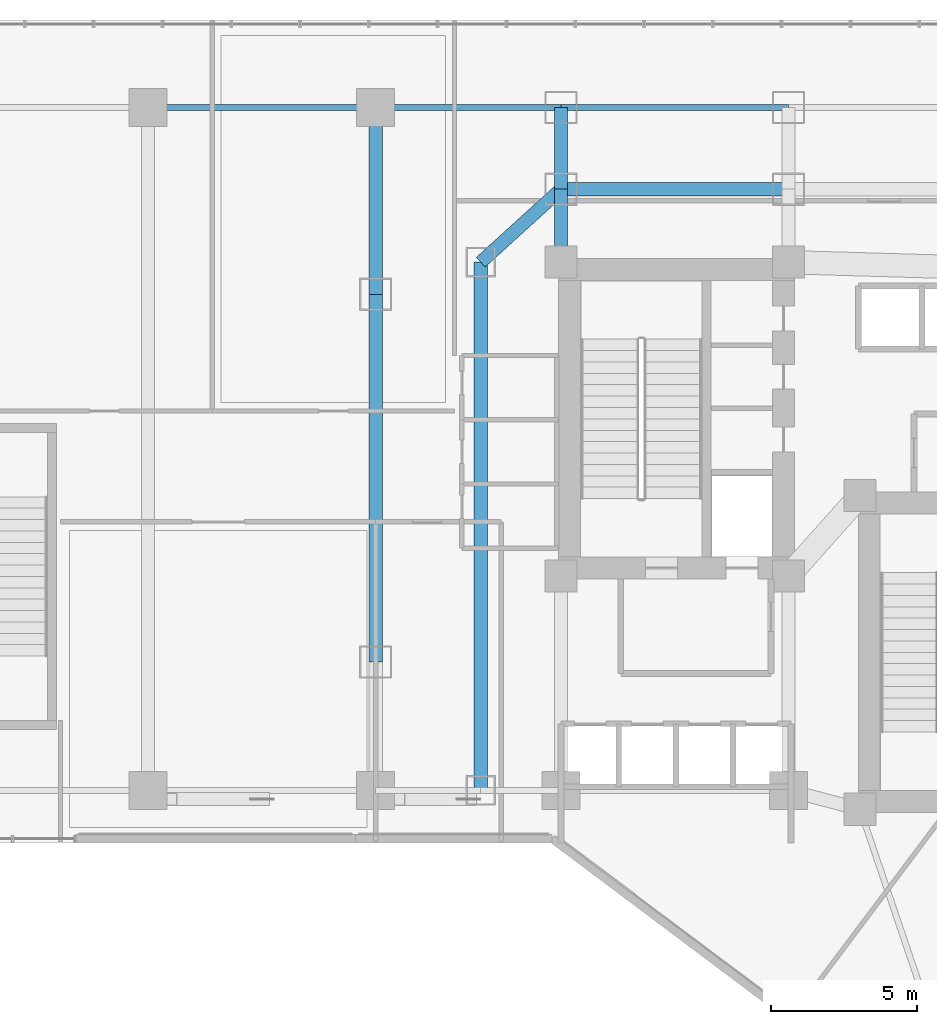
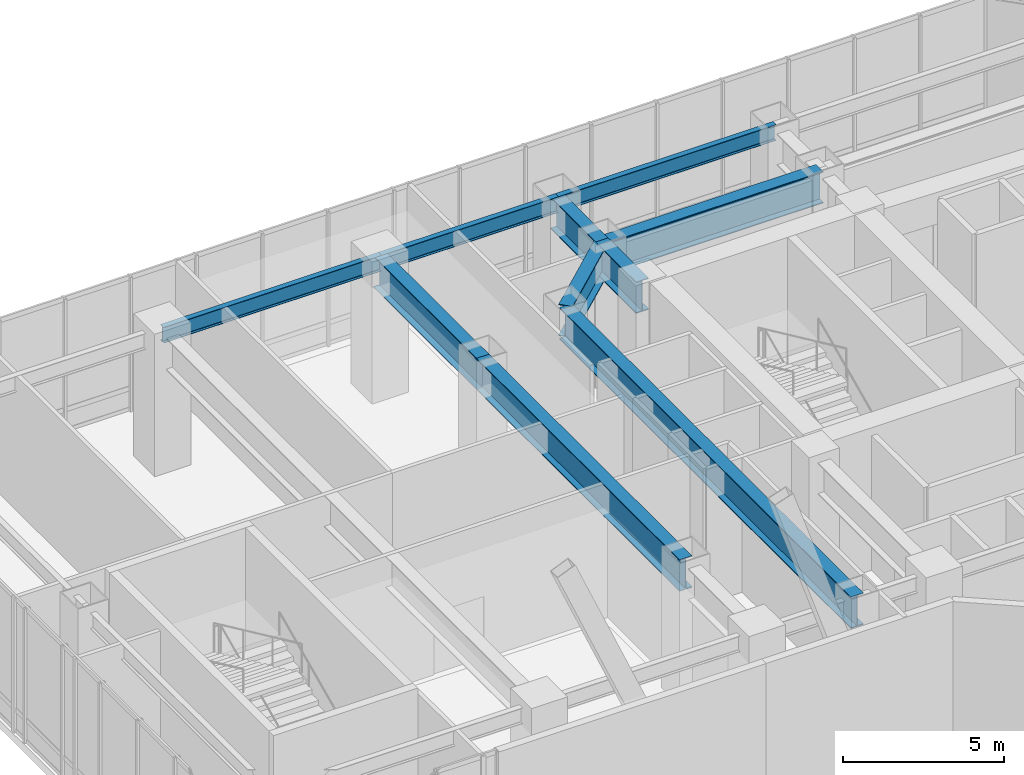
# One storey, part 15 of 35: 10 beams.
"""IFC4 building model written with IfcOpenShell, lengths in metres."""

from ifc_helpers import new_model, si_unit, direction, frame, origin, origin_2d, place, context, subcontext, project, spatial, i_section, extrude, material, material_profile, profile_set, type_object, element, save


model = new_model("IFC4")

# Units and contexts
model_context = context("Model", 3, precision=1e-05, world=origin(), true_north=direction((0.0, 1.0)))
body_context = subcontext(model_context, "Body", "Model", "MODEL_VIEW")
ifc_project = project(units=[si_unit("LENGTHUNIT", "METRE"), si_unit("AREAUNIT", "SQUARE_METRE"), si_unit("VOLUMEUNIT", "CUBIC_METRE"), si_unit("PLANEANGLEUNIT", "RADIAN"), si_unit("MASSUNIT", "GRAM", prefix="KILO")], contexts=[model_context])

# Site, building, storey
site_placement = place(None, origin())
site = spatial("IfcSite", under=ifc_project, at=site_placement, CompositionType="ELEMENT")
building_placement = place(site_placement, origin())
building = spatial("IfcBuilding", under=site, at=building_placement, Name="Hatsunagi Terrace Concourse", CompositionType="ELEMENT")
storey_placement = place(building_placement, frame((0.0, 0.0, 10.800048828125)))
storey = spatial("IfcBuildingStorey", under=building, at=storey_placement, Name="L03", CompositionType="ELEMENT", Elevation=10.800048828125)

# Beams
ifc_material_1 = material(Name="Steel SN490B", Category="steel")
ifc_material_profile_1 = material_profile(ifc_material_1, i_section(OverallWidth=0.199951171875, OverallDepth=0.60009765625, WebThickness=0.010986328125, FlangeThickness=0.01708984375, FilletRadius=0.01806640625, at=origin_2d()), Name="H-600x200x11x17")
ifc_profile_set_1 = profile_set([ifc_material_profile_1], Name="Steel SN490B")
beam_type_1 = type_object("IfcBeamType", Name="PerimeterSpandrel_H_600x200", PredefinedType="SPANDREL", material=ifc_profile_set_1)
beam_1_placement = place(storey_placement, frame((11.39990234375, 48.60009765625, 4.800048828125), z_axis=(1.0, 0.0, 0.0), x_axis=(0.0, 1.0, 0.0)))
element("IfcBeam", 1, at=beam_1_placement, inside=storey, type_object=beam_type_1, Name="Beam SP-01 BM-L03-WN-11", PredefinedType="SPANDREL", context=body_context, shape_type="SweptSolid", body=[
    extrude(i_section(OverallWidth=0.199951171875, OverallDepth=0.60009765625, WebThickness=0.010986328125, FlangeThickness=0.01708984375, FilletRadius=0.01806640625, at=origin_2d()), origin(), (0.0, 0.0, 1.0), 7.800048828125),
])
beam_2_placement = place(storey_placement, frame((19.199951171875, 48.60009765625, 4.800048828125), z_axis=(1.0, 0.0, 0.0), x_axis=(0.0, 1.0, 0.0)))
element("IfcBeam", 2, at=beam_2_placement, inside=storey, type_object=beam_type_1, Name="Beam SP-01 BM-L03-WN-19", PredefinedType="SPANDREL", context=body_context, shape_type="SweptSolid", body=[
    extrude(i_section(OverallWidth=0.199951171875, OverallDepth=0.60009765625, WebThickness=0.010986328125, FlangeThickness=0.01708984375, FilletRadius=0.01806640625, at=origin_2d()), origin(), (0.0, 0.0, 1.0), 6.35009765625),
])
beam_3_placement = place(storey_placement, frame((25.550048828125, 48.60009765625, 4.800048828125), z_axis=(1.0, 0.0, 0.0), x_axis=(0.0, 1.0, 0.0)))
element("IfcBeam", 3, at=beam_3_placement, inside=storey, type_object=beam_type_1, Name="Beam SP-01 BM-L03-WN-25", PredefinedType="SPANDREL", context=body_context, shape_type="SweptSolid", body=[
    extrude(i_section(OverallWidth=0.199951171875, OverallDepth=0.60009765625, WebThickness=0.010986328125, FlangeThickness=0.01708984375, FilletRadius=0.01806640625, at=origin_2d()), origin(), (0.0, 0.0, 1.0), 7.800048828125),
])
ifc_material_2 = material(Name="Steel SN490B", Category="steel")
ifc_material_profile_2 = material_profile(ifc_material_2, i_section(OverallWidth=0.449951171875, OverallDepth=1.199951171875, WebThickness=0.02490234375, FlangeThickness=0.035888671875, at=origin_2d()), Name="BH-1200x450x25x36")
ifc_profile_set_2 = profile_set([ifc_material_profile_2], Name="Steel SN490B")
beam_type_2 = type_object("IfcBeamType", Name="PodiumHallGirder_BH_1200x450x25x36", PredefinedType="BEAM", material=ifc_profile_set_2)
beam_4_placement = place(storey_placement, frame((25.550048828125, 43.300048828125, 4.5), z_axis=(0.0, 1.0, 0.0), x_axis=(-1.0, 0.0, 0.0)))
element("IfcBeam", 4, at=beam_4_placement, inside=storey, type_object=beam_type_2, Name="Beam G-01 BM-L03-CN1", PredefinedType="BEAM", context=body_context, shape_type="SweptSolid", body=[
    extrude(i_section(OverallWidth=0.449951171875, OverallDepth=1.199951171875, WebThickness=0.02490234375, FlangeThickness=0.035888671875, at=origin_2d()), origin(), (0.0, 0.0, 1.0), 2.5),
])
beam_5_placement = place(storey_placement, frame((25.550048828125, 45.800048828125, 4.5), z_axis=(1.0, 0.0, 0.0), x_axis=(0.0, 1.0, 0.0)))
element("IfcBeam", 5, at=beam_5_placement, inside=storey, type_object=beam_type_2, Name="Beam G-01 BM-L03-CNEW1", PredefinedType="BEAM", context=body_context, shape_type="SweptSolid", body=[
    extrude(i_section(OverallWidth=0.449951171875, OverallDepth=1.199951171875, WebThickness=0.02490234375, FlangeThickness=0.035888671875, at=origin_2d()), origin(), (0.0, 0.0, 1.0), 7.800048828125),
])
beam_6_placement = place(storey_placement, frame((25.550048828125, 45.800048828125, 4.5), z_axis=(0.0, 1.0, 0.0), x_axis=(-1.0, 0.0, 0.0)))
element("IfcBeam", 6, at=beam_6_placement, inside=storey, type_object=beam_type_2, Name="Beam G-01 BM-L03-KN-WN4", PredefinedType="BEAM", context=body_context, shape_type="SweptSolid", body=[
    extrude(i_section(OverallWidth=0.449951171875, OverallDepth=1.199951171875, WebThickness=0.02490234375, FlangeThickness=0.035888671875, at=origin_2d()), origin(), (0.0, 0.0, 1.0), 2.800048828125),
])
beam_7_placement = place(storey_placement, frame((22.800048828125, 25.199951171875, 4.5), z_axis=(0.0, 1.0, 0.0), x_axis=(-1.0, 0.0, 0.0)))
element("IfcBeam", 7, at=beam_7_placement, inside=storey, type_object=beam_type_2, Name="Beam G-01 BM-L03-CWNS", PredefinedType="BEAM", context=body_context, shape_type="SweptSolid", body=[
    extrude(i_section(OverallWidth=0.449951171875, OverallDepth=1.199951171875, WebThickness=0.02490234375, FlangeThickness=0.035888671875, at=origin_2d()), origin(), (0.0, 0.0, 1.0), 18.10009765625),
])
beam_8_placement = place(storey_placement, frame((22.800048828125, 43.300048828125, 4.5), z_axis=(0.739940073396, 0.672672793996, 0.0), x_axis=(-0.672672793996, 0.739940073396, 0.0)))
element("IfcBeam", 8, at=beam_8_placement, inside=storey, type_object=beam_type_2, Name="Beam G-01 BM-L03-CWEW-N", PredefinedType="BEAM", context=body_context, shape_type="SweptSolid", body=[
    extrude(i_section(OverallWidth=0.449951171875, OverallDepth=1.199951171875, WebThickness=0.02490234375, FlangeThickness=0.035888671875, at=origin_2d()), origin(), (0.0, 0.0, 1.0), 3.716552734375),
])
beam_9_placement = place(storey_placement, frame((19.199951171875, 29.60009765625, 4.5), z_axis=(0.0, 1.0, 0.0), x_axis=(-1.0, 0.0, 0.0)))
element("IfcBeam", 9, at=beam_9_placement, inside=storey, type_object=beam_type_2, Name="Beam G-01 BM-L03-NS-19-29", PredefinedType="BEAM", context=body_context, shape_type="SweptSolid", body=[
    extrude(i_section(OverallWidth=0.449951171875, OverallDepth=1.199951171875, WebThickness=0.02490234375, FlangeThickness=0.035888671875, at=origin_2d()), origin(), (0.0, 0.0, 1.0), 12.599853515625),
])
beam_10_placement = place(storey_placement, frame((19.199951171875, 42.199951171875, 4.5), z_axis=(0.0, 1.0, 0.0), x_axis=(-1.0, 0.0, 0.0)))
element("IfcBeam", 10, at=beam_10_placement, inside=storey, type_object=beam_type_2, Name="Beam G-01 BM-L03-NS-19-42", PredefinedType="BEAM", context=body_context, shape_type="SweptSolid", body=[
    extrude(i_section(OverallWidth=0.449951171875, OverallDepth=1.199951171875, WebThickness=0.02490234375, FlangeThickness=0.035888671875, at=origin_2d()), origin(), (0.0, 0.0, 1.0), 6.400146484375),
])

save(model, "model.ifc")
